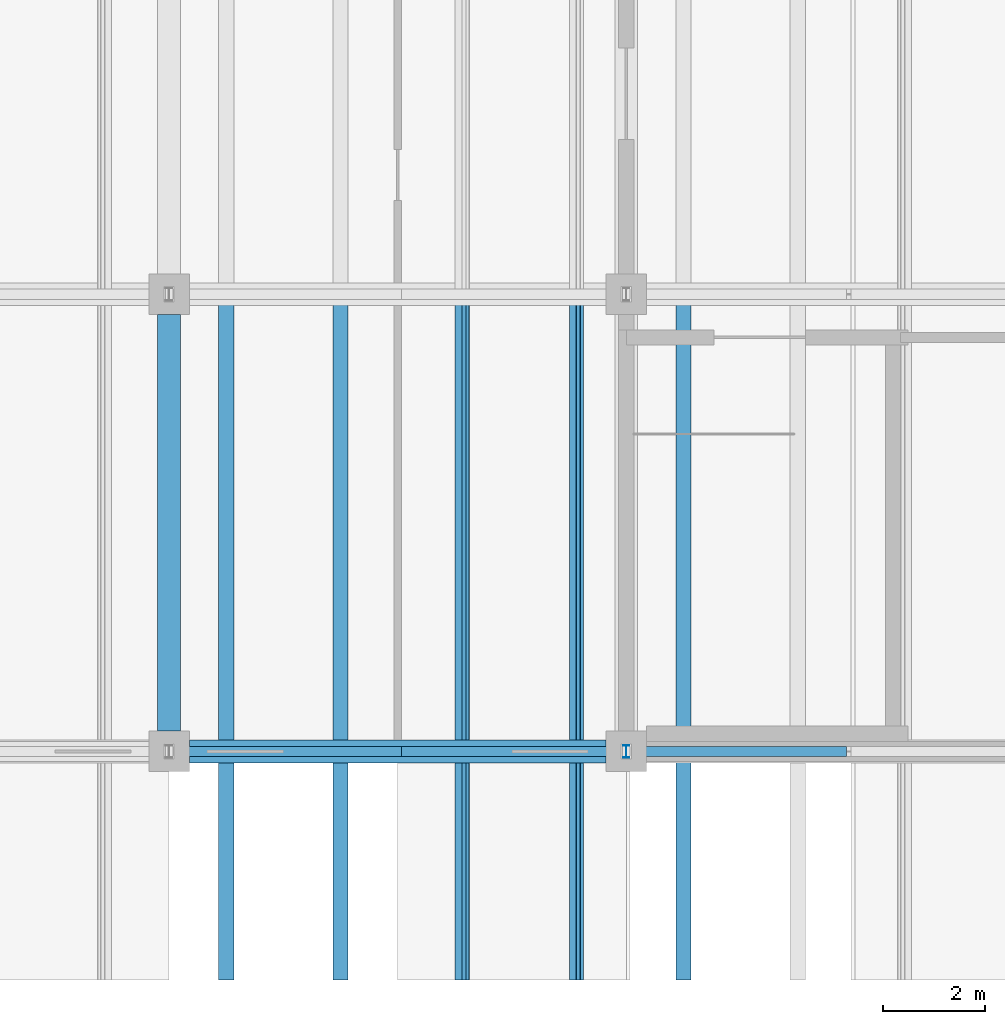
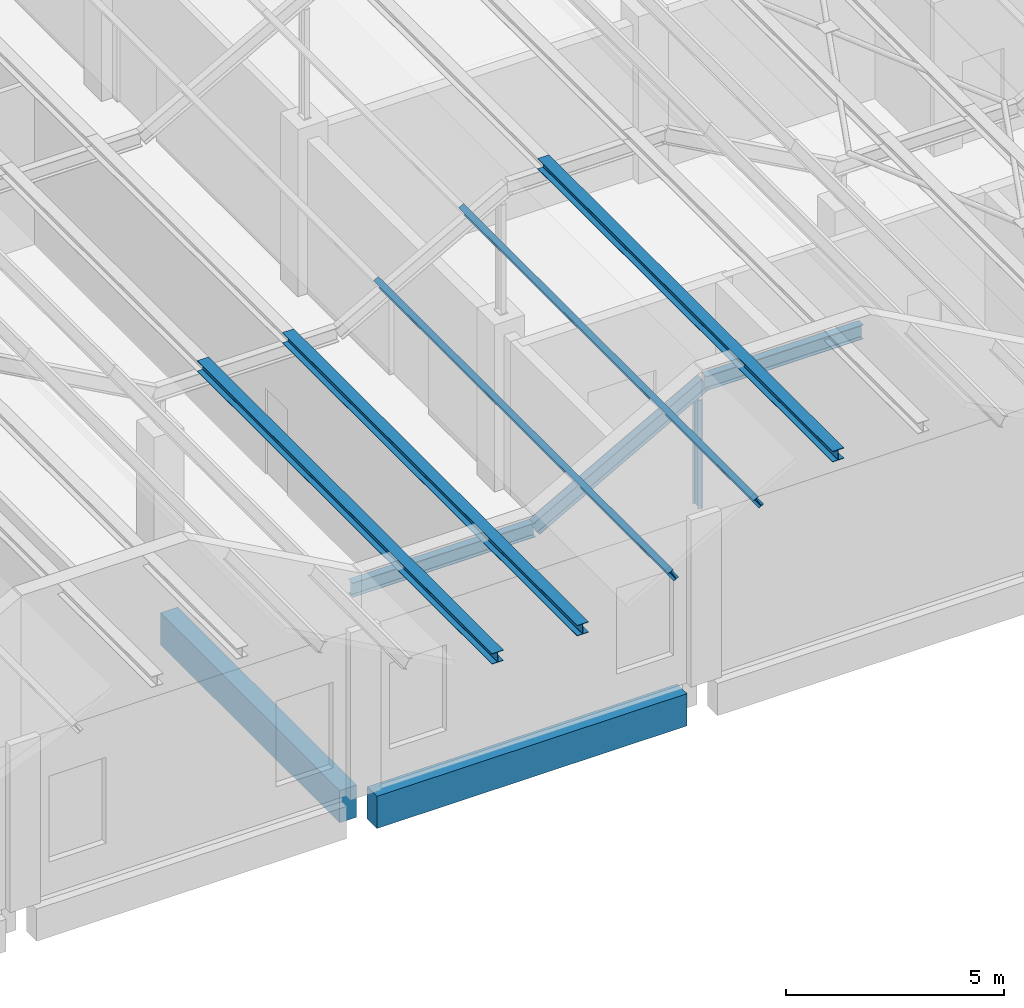
# One storey, part 21 of 437: 9 members, 2 beams.
"""IFC4 building model written with IfcOpenShell, lengths in metres."""

from ifc_helpers import new_model, si_unit, direction, frame, origin, origin_2d, place, context, subcontext, project, spatial, rectangle, i_section, extrude, material, material_profile, profile_set, type_object, element, save


model = new_model("IFC4")

# Units and contexts
model_context = context("Model", 3, precision=1e-05, world=origin(), true_north=direction((0.0, 1.0)))
body_context = subcontext(model_context, "Body", "Model", "MODEL_VIEW")
ifc_project = project(units=[si_unit("LENGTHUNIT", "METRE"), si_unit("AREAUNIT", "SQUARE_METRE"), si_unit("VOLUMEUNIT", "CUBIC_METRE"), si_unit("PLANEANGLEUNIT", "RADIAN"), si_unit("MASSUNIT", "GRAM", prefix="KILO")], contexts=[model_context])

# Site, building, storey
site_placement = place(None, origin())
site = spatial("IfcSite", under=ifc_project, at=site_placement, CompositionType="ELEMENT")
building_placement = place(site_placement, origin())
building = spatial("IfcBuilding", under=site, at=building_placement, Name="Opaline Strait Convention Centre", CompositionType="ELEMENT")
storey_placement = place(building_placement, frame((0.0, 0.0, 11.5)))
storey = spatial("IfcBuildingStorey", under=building, at=storey_placement, Name="L02", CompositionType="ELEMENT", Elevation=11.5)

# Members
ifc_material_1 = material(Name="Steel Q355B", Category="steel")
ifc_material_profile_1 = material_profile(ifc_material_1, i_section(OverallWidth=0.300048828125, OverallDepth=0.300048828125, WebThickness=0.010009765625, FlangeThickness=0.014892578125, FilletRadius=0.012939453125, at=origin_2d()), Name="HW 300x300x10x15")
ifc_profile_set_1 = profile_set([ifc_material_profile_1], Name="Steel Q355B")
member_type_1 = type_object("IfcMemberType", Name="Crest purlin HW 300x300x10x15", PredefinedType="PURLIN", material=ifc_profile_set_1)
for number, where, z_axis, x_axis, name in (
    (1, (55.125, 4.5, 5.949951171875), (0.0, 1.0, 0.0), (-1.0, 0.0, 0.0), "RU1 purlin facet 11 line 1"),
    (2, (57.375, 4.5, 5.949951171875), (0.0, 1.0, 0.0), (-1.0, 0.0, 0.0), "RU1 purlin facet 11 line 2"),
    (3, (64.125, 4.5, 8.449951171875), (0.0, 1.0, 0.0), (-1.0, 0.0, 0.0), "RU1 purlin facet 13 line 1"),
):
    element("IfcMember", number, at=place(storey_placement, frame(where, z_axis=z_axis, x_axis=x_axis)), inside=storey, type_object=member_type_1, Name=name, PredefinedType="PURLIN", context=body_context, shape_type="SweptSolid", body=[
        extrude(i_section(OverallWidth=0.300048828125, OverallDepth=0.300048828125, WebThickness=0.010009765625, FlangeThickness=0.014892578125, FilletRadius=0.012939453125, at=origin_2d()), origin(), (0.0, 0.0, 1.0), 13.5),
    ])

# Beams
ifc_material_2 = material(Name="Concrete C35", Category="concrete")
ifc_material_profile_2 = material_profile(ifc_material_2, rectangle(XDim=0.449951171875, YDim=0.89990234375, at=origin_2d()), Name="RC 450x900")
ifc_profile_set_2 = profile_set([ifc_material_profile_2], Name="Concrete C35")
beam_type = type_object("IfcBeamType", Name="RC beam 450x900 C35", PredefinedType="BEAM", material=ifc_profile_set_2)
for number, where, z_axis, x_axis, name in (
    (4, (54.39990234375, 9.0, -0.72998046875), (1.0, 0.0, 0.0), (0.0, 1.0, 0.0), "XB1 L02 54/9-63/9"),
    (5, (54.0, 9.39990234375, -0.72998046875), (0.0, 1.0, 0.0), (-1.0, 0.0, 0.0), "XB1 L02 54/9-54/18"),
):
    element("IfcBeam", number, at=place(storey_placement, frame(where, z_axis=z_axis, x_axis=x_axis)), inside=storey, type_object=beam_type, Name=name, PredefinedType="BEAM", context=body_context, shape_type="SweptSolid", body=[
        extrude(rectangle(XDim=0.449951171875, YDim=0.89990234375, at=origin_2d()), origin(), (0.0, 0.0, 1.0), 8.2001953125),
    ])

# Members
ifc_material_profile_3 = material_profile(ifc_material_1, i_section(OverallWidth=0.125, OverallDepth=0.25, WebThickness=0.006103515625, FlangeThickness=0.009033203125, FilletRadius=0.008056640625, at=origin_2d()), Name="HN 250x125x6x9")
ifc_profile_set_3 = profile_set([ifc_material_profile_3], Name="Steel Q355B")
member_type_2 = type_object("IfcMemberType", Name="Roof post HN 250x125x6x9", PredefinedType="STRUT", material=ifc_profile_set_3)
member_1_placement = place(storey_placement, frame((63.0, 9.0, 4.68994140625), z_axis=(0.0, 0.0, 1.0), x_axis=(1.0, 0.0, 0.0)))
element("IfcMember", 6, at=member_1_placement, inside=storey, type_object=member_type_2, Name="RP1 roof post at 63/9", PredefinedType="STRUT", context=body_context, shape_type="SweptSolid", body=[
    extrude(i_section(OverallWidth=0.125, OverallDepth=0.25, WebThickness=0.006103515625, FlangeThickness=0.009033203125, FilletRadius=0.008056640625, at=origin_2d()), origin(), (0.0, 0.0, 1.0), 3.031005859375),
])
ifc_material_profile_4 = material_profile(ifc_material_1, i_section(OverallWidth=0.14990234375, OverallDepth=0.300048828125, WebThickness=0.006591796875, FlangeThickness=0.009033203125, FilletRadius=0.012939453125, at=origin_2d()), Name="HN 300x150x6.5x9")
ifc_profile_set_4 = profile_set([ifc_material_profile_4], Name="Steel Q355B")
member_type_3 = type_object("IfcMemberType", Name="Roof purlin HN 300x150x6.5x9", PredefinedType="PURLIN", material=ifc_profile_set_4)
for number, where, z_axis, x_axis, name in (
    (7, (59.770751953125, 4.5, 6.61279296875), (0.0, 1.0, 0.0), (-0.874157310866, 0.0, -0.485642868639), "RU1 purlin facet 12 line 1"),
    (8, (62.020751953125, 4.5, 7.86279296875), (0.0, 1.0, 0.0), (-0.874157310866, 0.0, -0.485642868639), "RU1 purlin facet 12 line 2"),
):
    element("IfcMember", number, at=place(storey_placement, frame(where, z_axis=z_axis, x_axis=x_axis)), inside=storey, type_object=member_type_3, Name=name, PredefinedType="PURLIN", context=body_context, shape_type="SweptSolid", body=[
        extrude(i_section(OverallWidth=0.14990234375, OverallDepth=0.300048828125, WebThickness=0.006591796875, FlangeThickness=0.009033203125, FilletRadius=0.012939453125, at=origin_2d()), origin(), (0.0, 0.0, 1.0), 13.5),
    ])
ifc_material_profile_5 = material_profile(ifc_material_1, i_section(OverallWidth=0.199951171875, OverallDepth=0.39990234375, WebThickness=0.008056640625, FlangeThickness=0.012939453125, FilletRadius=0.012939453125, at=origin_2d()), Name="HN 400x200x8x13")
ifc_profile_set_5 = profile_set([ifc_material_profile_5], Name="Steel Q355B")
member_type_4 = type_object("IfcMemberType", Name="Roof rafter HN 400x200x8x13", PredefinedType="RAFTER", material=ifc_profile_set_5)
member_2_placement = place(storey_placement, frame((53.83154296875, 9.0, 5.60009765625), z_axis=(1.0, 0.0, 0.0), x_axis=(0.0, 1.0, 0.0)))
element("IfcMember", 9, at=member_2_placement, inside=storey, type_object=member_type_4, Name="RR1 rafter line 1 facet 12", PredefinedType="RAFTER", context=body_context, shape_type="SweptSolid", body=[
    extrude(i_section(OverallWidth=0.199951171875, OverallDepth=0.39990234375, WebThickness=0.008056640625, FlangeThickness=0.012939453125, FilletRadius=0.012939453125, at=origin_2d()), origin(), (0.0, 0.0, 1.0), 4.8369140625),
])
member_3_placement = place(storey_placement, frame((58.66845703125, 9.0, 5.60009765625), z_axis=(0.874157276122, 0.0, 0.485642931179), x_axis=(0.0, 1.0, 0.0)))
element("IfcMember", 10, at=member_3_placement, inside=storey, type_object=member_type_4, Name="RR1 rafter line 1 facet 13", PredefinedType="RAFTER", context=body_context, shape_type="SweptSolid", body=[
    extrude(i_section(OverallWidth=0.199951171875, OverallDepth=0.39990234375, WebThickness=0.008056640625, FlangeThickness=0.012939453125, FilletRadius=0.012939453125, at=origin_2d()), origin(), (0.0, 0.0, 1.0), 5.147705078125),
])
member_4_placement = place(storey_placement, frame((63.16845703125, 9.0, 8.10009765625), z_axis=(1.0, 0.0, 0.0), x_axis=(0.0, 1.0, 0.0)))
element("IfcMember", 11, at=member_4_placement, inside=storey, type_object=member_type_4, Name="RR1 rafter line 1 facet 14", PredefinedType="RAFTER", context=body_context, shape_type="SweptSolid", body=[
    extrude(i_section(OverallWidth=0.199951171875, OverallDepth=0.39990234375, WebThickness=0.008056640625, FlangeThickness=0.012939453125, FilletRadius=0.012939453125, at=origin_2d()), origin(), (0.0, 0.0, 1.0), 4.1630859375),
])

save(model, "model.ifc")
